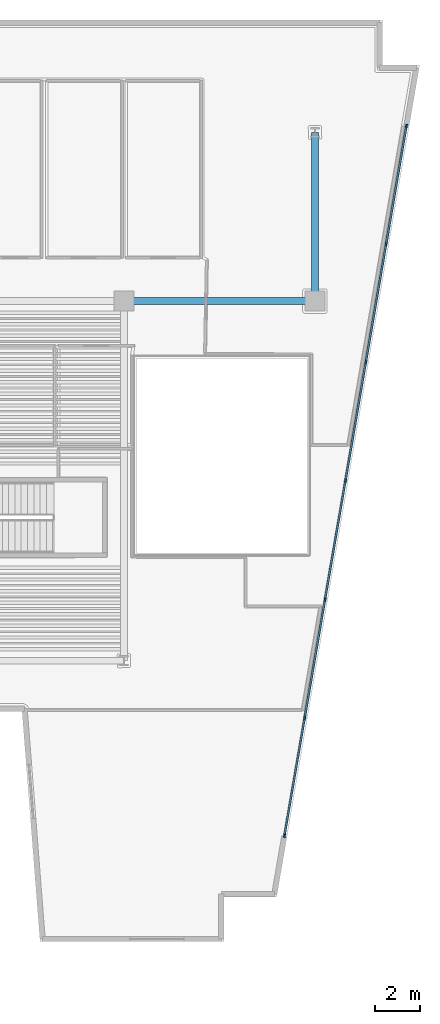
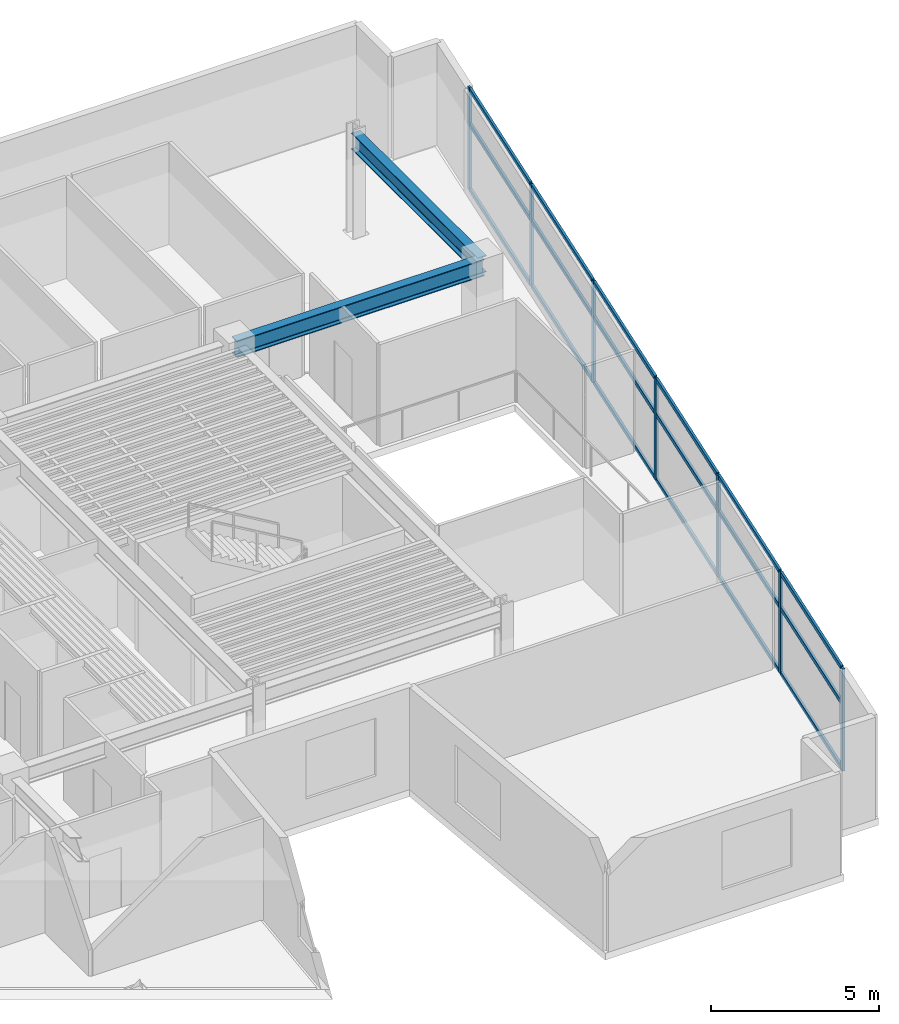
# One storey, part 2 of 10: 25 members, 2 beams, 1 element without a shape of its own.
"""IFC4 building model written with IfcOpenShell, lengths in metres."""

import ifcopenshell
import ifcopenshell.guid

model = None  # the IFC model being written
_history = None  # IfcOwnerHistory: only IFC2X3 demands one
_inside = {}  # id of a spatial element -> (the spatial element, [elements in it])
_under = {}  # id of a project, library or spatial element -> (it, [spatial elements below it])
_declared = {}  # id of a project -> (the project, [libraries it declares])
_typed = {}  # id of a type object -> (the type object, [elements of that type])
_made_of = {}  # id of a material, layer set ... -> (it, [elements and type objects made of it])


def new_model(schema):
    """Start an empty IFC model of exactly this schema.

    Asked for "IFC4X3", IfcOpenShell would pick the latest addendum, in which some entities
    have other attributes; the version numbers below select the first issue.
    IFC2X3 requires an IfcOwnerHistory on every rooted entity: one is made here for all.
    """
    global model, _history
    if schema == "IFC4X3":
        model = ifcopenshell.file(schema_version=(4, 3, 0, 0))
    else:
        model = ifcopenshell.file(schema=schema)
    _inside.clear()
    _under.clear()
    _declared.clear()
    _typed.clear()
    _made_of.clear()
    _history = None
    if model.schema == "IFC2X3":
        org = make("IfcOrganization", Name="unknown")
        user = make(
            "IfcPersonAndOrganization",
            ThePerson=make("IfcPerson", FamilyName="unknown"),
            TheOrganization=org,
        )
        app = make(
            "IfcApplication",
            ApplicationDeveloper=org,
            Version="unknown",
            ApplicationFullName="unknown",
            ApplicationIdentifier="unknown",
        )
        _history = make(
            "IfcOwnerHistory",
            OwningUser=user,
            OwningApplication=app,
            ChangeAction="ADDED",
            CreationDate=0,
        )
    return model


def make(cls, **values):
    """One entity of the class cls with the attributes given. An attribute that is None is left unset."""
    return model.create_entity(
        cls, **{name: value for name, value in values.items() if value is not None}
    )


def rooted(cls, **values):
    """An entity with a GlobalId (a new one), such as an element, a storey or a relation."""
    return make(cls, GlobalId=ifcopenshell.guid.new(), OwnerHistory=_history, **values)


def si_unit(unit_type, name, prefix=None):
    """IfcSIUnit, for example si_unit("LENGTHUNIT", "METRE", prefix="MILLI")."""
    return make("IfcSIUnit", UnitType=unit_type, Prefix=prefix, Name=name)


def assignment(units):
    """IfcUnitAssignment: the units of a project."""
    return None if units is None else make("IfcUnitAssignment", Units=units)


def point(xyz):
    """IfcCartesianPoint."""
    return None if xyz is None else make("IfcCartesianPoint", Coordinates=xyz)


def direction(xyz):
    """IfcDirection."""
    return None if xyz is None else make("IfcDirection", DirectionRatios=xyz)


def frame(location, z_axis=None, x_axis=None):
    """IfcAxis2Placement3D, a coordinate frame: its origin and axes. An axis left out is left unset."""
    return make(
        "IfcAxis2Placement3D",
        Location=point(location),
        Axis=direction(z_axis),
        RefDirection=direction(x_axis),
    )


def frame_2d(location, x_axis=None):
    """IfcAxis2Placement2D, a coordinate frame in the plane: its origin and x axis."""
    return make(
        "IfcAxis2Placement2D", Location=point(location), RefDirection=direction(x_axis)
    )


def origin():
    """The frame at (0, 0, 0) with its axes left unset."""
    return frame((0.0, 0.0, 0.0))


def origin_2d():
    """The frame at (0, 0) in the plane with its x axis left unset."""
    return frame_2d((0.0, 0.0))


def place(relative_to, where):
    """IfcLocalPlacement: puts the frame where relative to a parent placement (None: the world)."""
    return make(
        "IfcLocalPlacement", PlacementRelTo=relative_to, RelativePlacement=where
    )


def context(
    kind, dimensions, precision=None, world=None, true_north=None, identifier=None
):
    """IfcGeometricRepresentationContext, for example the 3D "Model" context."""
    return make(
        "IfcGeometricRepresentationContext",
        ContextIdentifier=identifier,
        ContextType=kind,
        CoordinateSpaceDimension=dimensions,
        Precision=precision,
        WorldCoordinateSystem=world,
        TrueNorth=true_north,
    )


def subcontext(parent, identifier, kind, view, scale=None):
    """IfcGeometricRepresentationSubContext, for example "Body" below "Model"."""
    return make(
        "IfcGeometricRepresentationSubContext",
        ContextIdentifier=identifier,
        ContextType=kind,
        ParentContext=parent,
        TargetScale=scale,
        TargetView=view,
    )


def project(units=None, contexts=None):
    """IfcProject with its units and contexts."""
    return rooted(
        "IfcProject",
        Name="project",
        RepresentationContexts=contexts,
        UnitsInContext=assignment(units),
    )


def spatial(cls, under=None, at=None, **own):
    """A site, building, storey or space (cls), placed at a placement, below another one or the project."""
    s = rooted(cls, ObjectPlacement=at, **own)
    if under is not None:
        _under.setdefault(under.id(), (under, []))[1].append(s)
    return s


def profile(cls, at=None, kind="AREA", **sizes):
    """A parametric profile (cls). Its sizes go by their IFC names, for example OverallWidth=200.0."""
    return make(cls, ProfileType=kind, Position=at, **sizes)


def rectangle(**sizes):
    """IfcRectangleProfileDef."""
    return profile("IfcRectangleProfileDef", **sizes)


def i_section(**sizes):
    """IfcIShapeProfileDef."""
    return profile("IfcIShapeProfileDef", **sizes)


def extrude(swept, where, along, depth):
    """IfcExtrudedAreaSolid: the profile swept, set in the frame where, extruded along a direction by depth."""
    return make(
        "IfcExtrudedAreaSolid",
        SweptArea=swept,
        Position=where,
        ExtrudedDirection=direction(along),
        Depth=depth,
    )


def shape(context_of_items, identifier, shape_type, items):
    """IfcShapeRepresentation: the items that make up one representation, for example the "Body"."""
    return make(
        "IfcShapeRepresentation",
        ContextOfItems=context_of_items,
        RepresentationIdentifier=identifier,
        RepresentationType=shape_type,
        Items=items,
    )


def material(Name=None, Category=None):
    """IfcMaterial."""
    return make("IfcMaterial", Name=Name, Category=Category)


def layer(
    of_material, thickness, ventilated=None, Name=None, Category=None, Priority=None
):
    """IfcMaterialLayer: one layer of a wall or slab, of a material (None: an air gap)."""
    return make(
        "IfcMaterialLayer",
        Material=of_material,
        LayerThickness=thickness,
        IsVentilated=ventilated,
        Name=Name,
        Category=Category,
        Priority=Priority,
    )


def layer_set(layers, Name=None):
    """IfcMaterialLayerSet."""
    return make("IfcMaterialLayerSet", MaterialLayers=layers, LayerSetName=Name)


def material_profile(
    of_material, cross_section, Name=None, Category=None, Priority=None
):
    """IfcMaterialProfile: a cross section and its material."""
    return make(
        "IfcMaterialProfile",
        Name=Name,
        Material=of_material,
        Profile=cross_section,
        Priority=Priority,
        Category=Category,
    )


def profile_set(profiles, Name=None, composite=None):
    """IfcMaterialProfileSet."""
    return make(
        "IfcMaterialProfileSet",
        Name=Name,
        MaterialProfiles=profiles,
        CompositeProfile=composite,
    )


def made_of(thing, what):
    """Note that an element or type object is made of a material, layer set ...; save() writes the relation."""
    if what is not None:
        _made_of.setdefault(what.id(), (what, []))[1].append(thing)
    return thing


def type_object(cls, material=None, **own):
    """A type object (cls), such as IfcWallType, which elements share."""
    return made_of(rooted(cls, **own), material)


def element(
    cls,
    number,
    at=None,
    inside=None,
    cuts=None,
    type_object=None,
    material=None,
    context=None,
    identifier="Body",
    shape_type=None,
    held_by="IfcProductDefinitionShape",
    body=None,
    shapes=None,
    **own,
):
    """One element of the class cls, such as IfcWall. Its Tag is "e" and its number.

    at: its placement. inside: the storey or other place that contains it. cuts: it is an
    opening in that element (IfcRelVoidsElement). A single representation is given by context,
    identifier, shape_type and body (its items); several are given by shapes. held_by: the class
    of the entity that holds the representations. save() writes the other relations.
    """
    e = rooted(cls, Tag="e%d" % number, ObjectPlacement=at, **own)
    if body is not None:
        shapes = [shape(context, identifier, shape_type, body)]
    if shapes is not None:
        e.Representation = make(held_by, Representations=shapes)
    if inside is not None:
        _inside.setdefault(inside.id(), (inside, []))[1].append(e)
    if cuts is not None:
        rooted(
            "IfcRelVoidsElement", RelatingBuildingElement=cuts, RelatedOpeningElement=e
        )
    if type_object is not None:
        _typed.setdefault(type_object.id(), (type_object, []))[1].append(e)
    return made_of(e, material)


def aggregate(whole, parts):
    """IfcRelAggregates: a whole, such as a stair, and the parts it consists of."""
    return rooted("IfcRelAggregates", RelatingObject=whole, RelatedObjects=parts)


def save(model, path):
    """Write the relations noted so far, then the file.

    IfcRelAggregates (storeys below a building ...), IfcRelContainedInSpatialStructure (elements
    in a storey), IfcRelDefinesByType, IfcRelAssociatesMaterial and IfcRelDeclares: one each for
    every whole, place, type object, material and project.
    """
    for whole, parts in _under.values():
        aggregate(whole, parts)
    for where, things in _inside.values():
        rooted(
            "IfcRelContainedInSpatialStructure",
            RelatedElements=things,
            RelatingStructure=where,
        )
    for kind, things in _typed.values():
        rooted("IfcRelDefinesByType", RelatedObjects=things, RelatingType=kind)
    for what, things in _made_of.values():
        rooted("IfcRelAssociatesMaterial", RelatedObjects=things, RelatingMaterial=what)
    for by, libraries in _declared.values():
        rooted("IfcRelDeclares", RelatingContext=by, RelatedDefinitions=libraries)
    model.write(path)


model = new_model("IFC4")

# Units and contexts
model_context = context("Model", 3, precision=1e-05, world=origin(), true_north=direction((0.0, 1.0)))
body_context = subcontext(model_context, "Body", "Model", "MODEL_VIEW")
ifc_project = project(units=[si_unit("LENGTHUNIT", "METRE"), si_unit("AREAUNIT", "SQUARE_METRE"), si_unit("VOLUMEUNIT", "CUBIC_METRE"), si_unit("PLANEANGLEUNIT", "RADIAN"), si_unit("MASSUNIT", "GRAM", prefix="KILO")], contexts=[model_context])

# Site, building, storey
site_placement = place(None, origin())
site = spatial("IfcSite", under=ifc_project, at=site_placement, CompositionType="ELEMENT")
building_placement = place(site_placement, origin())
building = spatial("IfcBuilding", under=site, at=building_placement, Name="Caeloran Harvest Quay", CompositionType="ELEMENT")
storey_placement = place(building_placement, frame((0.0, 0.0, 219.300048828125)))
storey = spatial("IfcBuildingStorey", under=building, at=storey_placement, Name="L52", CompositionType="ELEMENT", Elevation=219.300048828125)

# Beams
ifc_material_1 = material(Name="Steel S355J2", Category="steel")
ifc_material_profile_1 = material_profile(ifc_material_1, i_section(OverallWidth=0.300048828125, OverallDepth=0.60009765625, WebThickness=0.015380859375, FlangeThickness=0.030029296875, FilletRadius=0.027099609375, at=origin_2d()), Name="HE 600 B")
ifc_profile_set_1 = profile_set([ifc_material_profile_1], Name="Steel S355J2")
beam_type = type_object("IfcBeamType", Name="BM-PG-3-HE_600_B", PredefinedType="BEAM", material=ifc_profile_set_1)
beam_1_placement = place(storey_placement, frame((34.0, 31.0, 3.39990234375), z_axis=(1.0, 0.0, 0.0), x_axis=(0.0, 1.0, 0.0)))
element("IfcBeam", 1, at=beam_1_placement, inside=storey, type_object=beam_type, Name="L52 Primary East-West Girder Y=31.0", PredefinedType="BEAM", context=body_context, shape_type="SweptSolid", body=[
    extrude(i_section(OverallWidth=0.300048828125, OverallDepth=0.60009765625, WebThickness=0.015380859375, FlangeThickness=0.030029296875, FilletRadius=0.027099609375, at=origin_2d()), origin(), (0.0, 0.0, 1.0), 8.5),
])
beam_2_placement = place(storey_placement, frame((42.5, 31.0, 3.39990234375), z_axis=(0.0, 1.0, 0.0), x_axis=(-1.0, 0.0, 0.0)))
element("IfcBeam", 2, at=beam_2_placement, inside=storey, type_object=beam_type, Name="L52 Primary North-South Girder X=42.5", PredefinedType="BEAM", context=body_context, shape_type="SweptSolid", body=[
    extrude(i_section(OverallWidth=0.300048828125, OverallDepth=0.60009765625, WebThickness=0.015380859375, FlangeThickness=0.030029296875, FilletRadius=0.027099609375, at=origin_2d()), origin(), (0.0, 0.0, 1.0), 7.5),
])

# Curtain wall, members
ifc_material_2 = material(Name="Aluminium 6063-T6 and Low-E Glazing", Category="aluminium")
ifc_layer = layer(ifc_material_2, 0.2099609375, Name="Aluminium 6063-T6 and Low-E Glazing")
ifc_layer_set = layer_set([ifc_layer], Name="Aluminium 6063-T6 and Low-E Glazing")
curtain_wall_type = type_object("IfcCurtainWallType", Name="CW-SYS-CW-4", PredefinedType="USERDEFINED", material=ifc_layer_set)
curtain_wall_placement = place(storey_placement, origin())
curtain_wall = element("IfcCurtainWall", 3, at=curtain_wall_placement, inside=storey, type_object=curtain_wall_type, Name="L52 Unitised Curtain Wall CW-4 Run 9", ObjectType="CURTAIN_WALL", PredefinedType="USERDEFINED")
ifc_material_3 = material(Name="Aluminium 6063-T6", Category="aluminium")
ifc_material_profile_2 = material_profile(ifc_material_3, rectangle(XDim=0.080078125, YDim=0.179931640625, at=origin_2d()), Name="CW-MULLION-180")
ifc_profile_set_2 = profile_set([ifc_material_profile_2], Name="Aluminium 6063-T6")
member_type_1 = type_object("IfcMemberType", Name="CW-MULLION-180", PredefinedType="MULLION", material=ifc_profile_set_2)
member_1_placement = place(storey_placement, frame((46.566650390625, 38.778076171875, 0.0), z_axis=(0.0, 0.0, 1.0), x_axis=(0.985548890759, -0.169391215605, 0.0)))
member_1 = element("IfcMember", 4, at=member_1_placement, type_object=member_type_1, Name="CW-4 mullion 1", PredefinedType="MULLION", context=body_context, shape_type="SweptSolid", body=[
    extrude(rectangle(XDim=0.080078125, YDim=0.179931640625, at=origin_2d()), origin(), (0.0, 0.0, 1.0), 3.699951171875),
])
member_2_placement = place(storey_placement, frame((45.667236328125, 33.545166015625, 0.0), z_axis=(0.0, 0.0, 1.0), x_axis=(0.985548890759, -0.169391215605, 0.0)))
member_2 = element("IfcMember", 5, at=member_2_placement, type_object=member_type_1, Name="CW-4 mullion 2", PredefinedType="MULLION", context=body_context, shape_type="SweptSolid", body=[
    extrude(rectangle(XDim=0.080078125, YDim=0.179931640625, at=origin_2d()), origin(), (0.0, 0.0, 1.0), 3.699951171875),
])
member_3_placement = place(storey_placement, frame((44.760986328125, 28.2724609375, 0.0), z_axis=(0.0, 0.0, 1.0), x_axis=(0.985548890759, -0.169391215605, 0.0)))
member_3 = element("IfcMember", 6, at=member_3_placement, type_object=member_type_1, Name="CW-4 mullion 3", PredefinedType="MULLION", context=body_context, shape_type="SweptSolid", body=[
    extrude(rectangle(XDim=0.080078125, YDim=0.179931640625, at=origin_2d()), origin(), (0.0, 0.0, 1.0), 3.699951171875),
])
member_4_placement = place(storey_placement, frame((43.854736328125, 23.0, 0.0), z_axis=(0.0, 0.0, 1.0), x_axis=(0.985548890759, -0.169391215605, 0.0)))
member_4 = element("IfcMember", 7, at=member_4_placement, type_object=member_type_1, Name="CW-4 mullion 4", PredefinedType="MULLION", context=body_context, shape_type="SweptSolid", body=[
    extrude(rectangle(XDim=0.080078125, YDim=0.179931640625, at=origin_2d()), origin(), (0.0, 0.0, 1.0), 3.699951171875),
])
member_5_placement = place(storey_placement, frame((42.948486328125, 17.7275390625, 0.0), z_axis=(0.0, 0.0, 1.0), x_axis=(0.985548890759, -0.169391215605, 0.0)))
member_5 = element("IfcMember", 8, at=member_5_placement, type_object=member_type_1, Name="CW-4 mullion 5", PredefinedType="MULLION", context=body_context, shape_type="SweptSolid", body=[
    extrude(rectangle(XDim=0.080078125, YDim=0.179931640625, at=origin_2d()), origin(), (0.0, 0.0, 1.0), 3.699951171875),
])
member_6_placement = place(storey_placement, frame((42.042236328125, 12.454833984375, 0.0), z_axis=(0.0, 0.0, 1.0), x_axis=(0.985548890759, -0.169391215605, 0.0)))
member_6 = element("IfcMember", 9, at=member_6_placement, type_object=member_type_1, Name="CW-4 mullion 6", PredefinedType="MULLION", context=body_context, shape_type="SweptSolid", body=[
    extrude(rectangle(XDim=0.080078125, YDim=0.179931640625, at=origin_2d()), origin(), (0.0, 0.0, 1.0), 3.699951171875),
])
member_7_placement = place(storey_placement, frame((41.142822265625, 7.221923828125, 0.0), z_axis=(0.0, 0.0, 1.0), x_axis=(0.985548890759, -0.169391215605, 0.0)))
member_7 = element("IfcMember", 10, at=member_7_placement, type_object=member_type_1, Name="CW-4 mullion 7", PredefinedType="MULLION", context=body_context, shape_type="SweptSolid", body=[
    extrude(rectangle(XDim=0.080078125, YDim=0.179931640625, at=origin_2d()), origin(), (0.0, 0.0, 1.0), 3.699951171875),
])
ifc_material_profile_3 = material_profile(ifc_material_3, rectangle(XDim=0.080078125, YDim=0.14990234375, at=origin_2d()), Name="CW-TRANSOM-150")
ifc_profile_set_3 = profile_set([ifc_material_profile_3], Name="Aluminium 6063-T6")
member_type_2 = type_object("IfcMemberType", Name="CW-TRANSOM-150", PredefinedType="USERDEFINED", material=ifc_profile_set_3)
member_8_placement = place(storey_placement, frame((46.559814453125, 38.73876953125, 0.0400390625), z_axis=(-0.169362876348, -0.985553761149, 0.0), x_axis=(0.985553761149, -0.169362876348, 0.0)))
member_8 = element("IfcMember", 11, at=member_8_placement, type_object=member_type_2, Name="CW-4 transom 1.1", ObjectType="TRANSOM", PredefinedType="USERDEFINED", context=body_context, shape_type="SweptSolid", body=[
    extrude(rectangle(XDim=0.080078125, YDim=0.14990234375, at=origin_2d()), origin(), (0.0, 0.0, 1.0), 5.229736328125),
])
member_9_placement = place(storey_placement, frame((46.559814453125, 38.73876953125, 2.39990234375), z_axis=(-0.169362876348, -0.985553761149, 0.0), x_axis=(0.985553761149, -0.169362876348, 0.0)))
member_9 = element("IfcMember", 12, at=member_9_placement, type_object=member_type_2, Name="CW-4 transom 1.2", ObjectType="TRANSOM", PredefinedType="USERDEFINED", context=body_context, shape_type="SweptSolid", body=[
    extrude(rectangle(XDim=0.080078125, YDim=0.14990234375, at=origin_2d()), origin(), (0.0, 0.0, 1.0), 5.229736328125),
])
member_10_placement = place(storey_placement, frame((46.559814453125, 38.73876953125, 3.659912109375), z_axis=(-0.169362876348, -0.985553761149, 0.0), x_axis=(0.985553761149, -0.169362876348, 0.0)))
member_10 = element("IfcMember", 13, at=member_10_placement, type_object=member_type_2, Name="CW-4 transom 1.3", ObjectType="TRANSOM", PredefinedType="USERDEFINED", context=body_context, shape_type="SweptSolid", body=[
    extrude(rectangle(XDim=0.080078125, YDim=0.14990234375, at=origin_2d()), origin(), (0.0, 0.0, 1.0), 5.229736328125),
])
member_11_placement = place(storey_placement, frame((45.660400390625, 33.505615234375, 0.0400390625), z_axis=(-0.169377856385, -0.985551186782, 0.0), x_axis=(0.985551186782, -0.169377856385, 0.0)))
member_11 = element("IfcMember", 14, at=member_11_placement, type_object=member_type_2, Name="CW-4 transom 2.1", ObjectType="TRANSOM", PredefinedType="USERDEFINED", context=body_context, shape_type="SweptSolid", body=[
    extrude(rectangle(XDim=0.080078125, YDim=0.14990234375, at=origin_2d()), origin(), (0.0, 0.0, 1.0), 5.269775390625),
])
member_12_placement = place(storey_placement, frame((45.660400390625, 33.505615234375, 2.39990234375), z_axis=(-0.169377856385, -0.985551186782, 0.0), x_axis=(0.985551186782, -0.169377856385, 0.0)))
member_12 = element("IfcMember", 15, at=member_12_placement, type_object=member_type_2, Name="CW-4 transom 2.2", ObjectType="TRANSOM", PredefinedType="USERDEFINED", context=body_context, shape_type="SweptSolid", body=[
    extrude(rectangle(XDim=0.080078125, YDim=0.14990234375, at=origin_2d()), origin(), (0.0, 0.0, 1.0), 5.269775390625),
])
member_13_placement = place(storey_placement, frame((45.660400390625, 33.505615234375, 3.659912109375), z_axis=(-0.169377856385, -0.985551186782, 0.0), x_axis=(0.985551186782, -0.169377856385, 0.0)))
member_13 = element("IfcMember", 16, at=member_13_placement, type_object=member_type_2, Name="CW-4 transom 2.3", ObjectType="TRANSOM", PredefinedType="USERDEFINED", context=body_context, shape_type="SweptSolid", body=[
    extrude(rectangle(XDim=0.080078125, YDim=0.14990234375, at=origin_2d()), origin(), (0.0, 0.0, 1.0), 5.269775390625),
])
member_14_placement = place(storey_placement, frame((44.754150390625, 28.233154296875, 0.0400390625), z_axis=(-0.169370123052, -0.985552515809, 0.0), x_axis=(0.985552515809, -0.169370123052, 0.0)))
member_14 = element("IfcMember", 17, at=member_14_placement, type_object=member_type_2, Name="CW-4 transom 3.1", ObjectType="TRANSOM", PredefinedType="USERDEFINED", context=body_context, shape_type="SweptSolid", body=[
    extrude(rectangle(XDim=0.080078125, YDim=0.14990234375, at=origin_2d()), origin(), (0.0, 0.0, 1.0), 5.27001953125),
])
member_15_placement = place(storey_placement, frame((44.754150390625, 28.233154296875, 2.39990234375), z_axis=(-0.169370123052, -0.985552515809, 0.0), x_axis=(0.985552515809, -0.169370123052, 0.0)))
member_15 = element("IfcMember", 18, at=member_15_placement, type_object=member_type_2, Name="CW-4 transom 3.2", ObjectType="TRANSOM", PredefinedType="USERDEFINED", context=body_context, shape_type="SweptSolid", body=[
    extrude(rectangle(XDim=0.080078125, YDim=0.14990234375, at=origin_2d()), origin(), (0.0, 0.0, 1.0), 5.27001953125),
])
member_16_placement = place(storey_placement, frame((44.754150390625, 28.233154296875, 3.659912109375), z_axis=(-0.169370123052, -0.985552515809, 0.0), x_axis=(0.985552515809, -0.169370123052, 0.0)))
member_16 = element("IfcMember", 19, at=member_16_placement, type_object=member_type_2, Name="CW-4 transom 3.3", ObjectType="TRANSOM", PredefinedType="USERDEFINED", context=body_context, shape_type="SweptSolid", body=[
    extrude(rectangle(XDim=0.080078125, YDim=0.14990234375, at=origin_2d()), origin(), (0.0, 0.0, 1.0), 5.27001953125),
])
member_17_placement = place(storey_placement, frame((43.847900390625, 22.960693359375, 0.0400390625), z_axis=(-0.169370123052, -0.985552515809, 0.0), x_axis=(0.985552515809, -0.169370123052, 0.0)))
member_17 = element("IfcMember", 20, at=member_17_placement, type_object=member_type_2, Name="CW-4 transom 4.1", ObjectType="TRANSOM", PredefinedType="USERDEFINED", context=body_context, shape_type="SweptSolid", body=[
    extrude(rectangle(XDim=0.080078125, YDim=0.14990234375, at=origin_2d()), origin(), (0.0, 0.0, 1.0), 5.27001953125),
])
member_18_placement = place(storey_placement, frame((43.847900390625, 22.960693359375, 2.39990234375), z_axis=(-0.169370123052, -0.985552515809, 0.0), x_axis=(0.985552515809, -0.169370123052, 0.0)))
member_18 = element("IfcMember", 21, at=member_18_placement, type_object=member_type_2, Name="CW-4 transom 4.2", ObjectType="TRANSOM", PredefinedType="USERDEFINED", context=body_context, shape_type="SweptSolid", body=[
    extrude(rectangle(XDim=0.080078125, YDim=0.14990234375, at=origin_2d()), origin(), (0.0, 0.0, 1.0), 5.27001953125),
])
member_19_placement = place(storey_placement, frame((43.847900390625, 22.960693359375, 3.659912109375), z_axis=(-0.169370123052, -0.985552515809, 0.0), x_axis=(0.985552515809, -0.169370123052, 0.0)))
member_19 = element("IfcMember", 22, at=member_19_placement, type_object=member_type_2, Name="CW-4 transom 4.3", ObjectType="TRANSOM", PredefinedType="USERDEFINED", context=body_context, shape_type="SweptSolid", body=[
    extrude(rectangle(XDim=0.080078125, YDim=0.14990234375, at=origin_2d()), origin(), (0.0, 0.0, 1.0), 5.27001953125),
])
member_20_placement = place(storey_placement, frame((42.941650390625, 17.68798828125, 0.0400390625), z_axis=(-0.169377856385, -0.985551186782, 0.0), x_axis=(0.985551186782, -0.169377856385, 0.0)))
member_20 = element("IfcMember", 23, at=member_20_placement, type_object=member_type_2, Name="CW-4 transom 5.1", ObjectType="TRANSOM", PredefinedType="USERDEFINED", context=body_context, shape_type="SweptSolid", body=[
    extrude(rectangle(XDim=0.080078125, YDim=0.14990234375, at=origin_2d()), origin(), (0.0, 0.0, 1.0), 5.269775390625),
])
member_21_placement = place(storey_placement, frame((42.941650390625, 17.68798828125, 2.39990234375), z_axis=(-0.169377856385, -0.985551186782, 0.0), x_axis=(0.985551186782, -0.169377856385, 0.0)))
member_21 = element("IfcMember", 24, at=member_21_placement, type_object=member_type_2, Name="CW-4 transom 5.2", ObjectType="TRANSOM", PredefinedType="USERDEFINED", context=body_context, shape_type="SweptSolid", body=[
    extrude(rectangle(XDim=0.080078125, YDim=0.14990234375, at=origin_2d()), origin(), (0.0, 0.0, 1.0), 5.269775390625),
])
member_22_placement = place(storey_placement, frame((42.941650390625, 17.68798828125, 3.659912109375), z_axis=(-0.169377856385, -0.985551186782, 0.0), x_axis=(0.985551186782, -0.169377856385, 0.0)))
member_22 = element("IfcMember", 25, at=member_22_placement, type_object=member_type_2, Name="CW-4 transom 5.3", ObjectType="TRANSOM", PredefinedType="USERDEFINED", context=body_context, shape_type="SweptSolid", body=[
    extrude(rectangle(XDim=0.080078125, YDim=0.14990234375, at=origin_2d()), origin(), (0.0, 0.0, 1.0), 5.269775390625),
])
member_23_placement = place(storey_placement, frame((42.03564453125, 12.41552734375, 0.0400390625), z_axis=(-0.169408218949, -0.985545968158, 0.0), x_axis=(0.985545968158, -0.169408218949, 0.0)))
member_23 = element("IfcMember", 26, at=member_23_placement, type_object=member_type_2, Name="CW-4 transom 6.1", ObjectType="TRANSOM", PredefinedType="USERDEFINED", context=body_context, shape_type="SweptSolid", body=[
    extrude(rectangle(XDim=0.080078125, YDim=0.14990234375, at=origin_2d()), origin(), (0.0, 0.0, 1.0), 5.22998046875),
])
member_24_placement = place(storey_placement, frame((42.03564453125, 12.41552734375, 2.39990234375), z_axis=(-0.169408218949, -0.985545968158, 0.0), x_axis=(0.985545968158, -0.169408218949, 0.0)))
member_24 = element("IfcMember", 27, at=member_24_placement, type_object=member_type_2, Name="CW-4 transom 6.2", ObjectType="TRANSOM", PredefinedType="USERDEFINED", context=body_context, shape_type="SweptSolid", body=[
    extrude(rectangle(XDim=0.080078125, YDim=0.14990234375, at=origin_2d()), origin(), (0.0, 0.0, 1.0), 5.22998046875),
])
member_25_placement = place(storey_placement, frame((42.03564453125, 12.41552734375, 3.659912109375), z_axis=(-0.169408218949, -0.985545968158, 0.0), x_axis=(0.985545968158, -0.169408218949, 0.0)))
member_25 = element("IfcMember", 28, at=member_25_placement, type_object=member_type_2, Name="CW-4 transom 6.3", ObjectType="TRANSOM", PredefinedType="USERDEFINED", context=body_context, shape_type="SweptSolid", body=[
    extrude(rectangle(XDim=0.080078125, YDim=0.14990234375, at=origin_2d()), origin(), (0.0, 0.0, 1.0), 5.22998046875),
])
aggregate(curtain_wall, [member_1, member_2, member_3, member_4, member_5, member_6, member_7, member_8, member_9, member_10, member_11, member_12, member_13, member_14, member_15, member_16, member_17, member_18, member_19, member_20, member_21, member_22, member_23, member_24, member_25])

save(model, "model.ifc")
